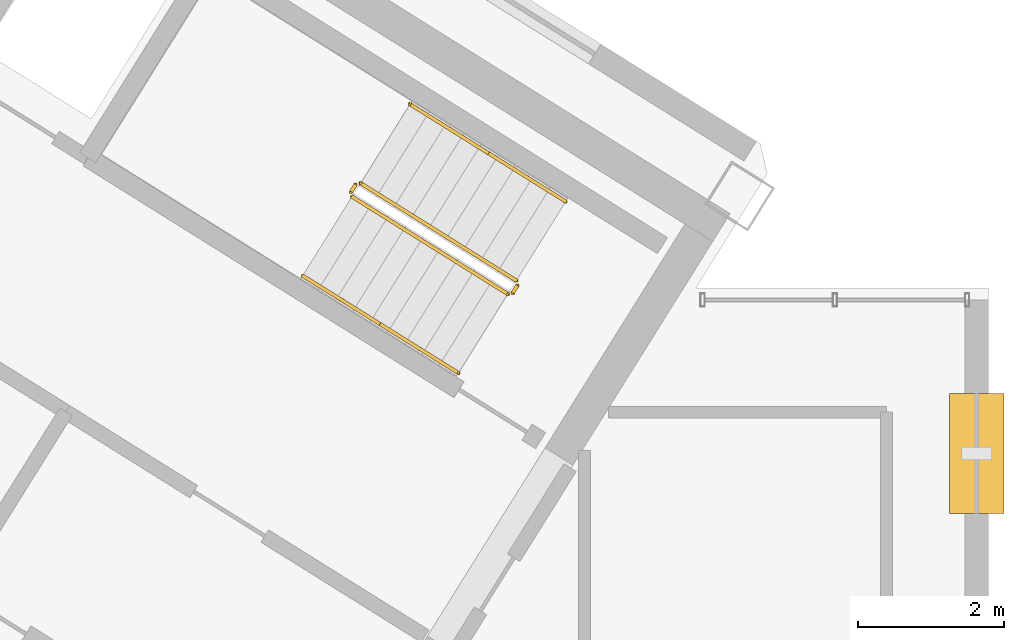
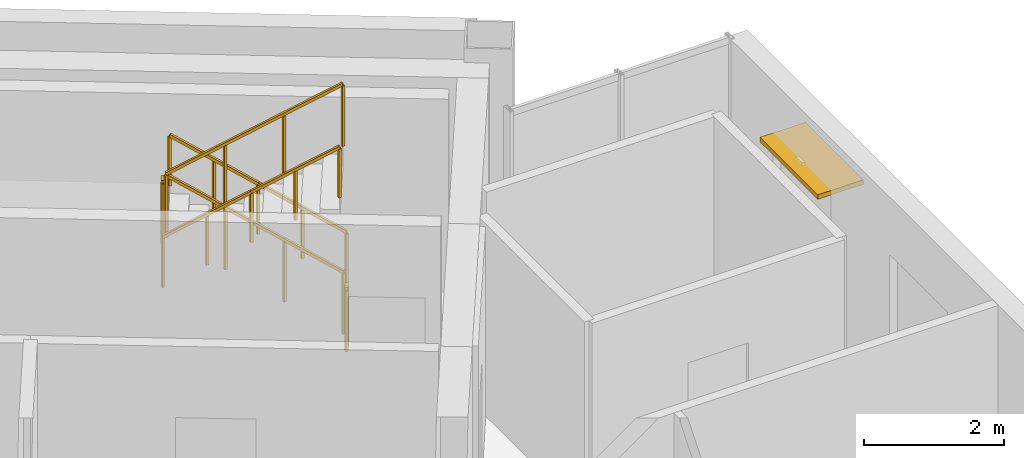
# One storey, part 14 of 15: 8 railings, 1 shading device.
"""IFC4 building model written with IfcOpenShell, lengths in metres."""

from ifc_helpers import new_model, si_unit, direction, frame, origin, origin_2d, place, context, subcontext, project, spatial, rectangle, extrude, source, transform, mapped, material, layer, layer_set, type_object, element, save


model = new_model("IFC4")

# Units and contexts
model_context = context("Model", 3, precision=1e-05, world=origin(), true_north=direction((0.0, 1.0)))
body_context = subcontext(model_context, "Body", "Model", "MODEL_VIEW")
ifc_project = project(units=[si_unit("LENGTHUNIT", "METRE"), si_unit("AREAUNIT", "SQUARE_METRE"), si_unit("VOLUMEUNIT", "CUBIC_METRE"), si_unit("PLANEANGLEUNIT", "RADIAN"), si_unit("MASSUNIT", "GRAM", prefix="KILO")], contexts=[model_context])

# Site, building, storey
site_placement = place(None, origin())
site = spatial("IfcSite", under=ifc_project, at=site_placement, CompositionType="ELEMENT")
building_placement = place(site_placement, origin())
building = spatial("IfcBuilding", under=site, at=building_placement, Name="Tlacorven Tower", CompositionType="ELEMENT")
storey_placement = place(building_placement, frame((0.0, 0.0, 266.39990234375)))
storey = spatial("IfcBuildingStorey", under=building, at=storey_placement, Name="L67", CompositionType="ELEMENT", Elevation=266.39990234375)

# Shading device
ifc_material_1 = material(Name="Anodised bronze aluminium sunshade", Category="aluminium")
ifc_layer = layer(ifc_material_1, 0.080078125)
ifc_layer_set = layer_set([ifc_layer], Name="Anodised bronze aluminium sunshade")
shading_device_type = type_object("IfcShadingDeviceType", Name="SH-SUN-BRZ", PredefinedType="AWNING", material=ifc_layer_set)
shared_shape_1 = source(origin(), body_context, "Body", "SweptSolid", [
    extrude(rectangle(XDim=1.64990234375, YDim=0.75, at=origin_2d()), origin(), (0.0, 0.0, 1.0), 0.080078125),
])
shading_device_placement = place(storey_placement, frame((44.0400390625, 20.929931640625, 2.3701171875), z_axis=(0.0, 0.0, 1.0), x_axis=(0.0, -1.0, 0.0)))
element("IfcShadingDevice", 1, at=shading_device_placement, inside=storey, type_object=shading_device_type, Name="L67 Solar Brise-Soleil Sunshade L67-01.1", PredefinedType="AWNING", context=body_context, shape_type="MappedRepresentation", body=[
    mapped(shared_shape_1, transform((0.0, 0.0, 0.0), scale=1.0)),
])

# Railings
ifc_material_2 = material(Name="Aluminium and painted steel balustrade", Category="steel")
railing_type_1 = type_object("IfcRailingType", Name="RL-GRD-1100", PredefinedType="GUARDRAIL", material=ifc_material_2)
shared_shape_2 = source(origin(), body_context, "Body", "SweptSolid", [
    extrude(rectangle(XDim=0.048095703125, YDim=0.048095703125, at=origin_2d()), frame((0.0, 0.0, 1.076171875), z_axis=(-0.530546985787, -0.847655529016, 0.0), x_axis=(0.847655529016, -0.530546985787, 0.0)), (0.0, 0.0, 1.0), 0.1201171875),
    extrude(rectangle(XDim=0.0419921875, YDim=0.0419921875, at=origin_2d()), origin(), (0.0, 0.0, 1.0), 1.052001953125),
    extrude(rectangle(XDim=0.0419921875, YDim=0.0419921875, at=origin_2d()), frame((-0.063720703125, -0.101806640625, 0.0)), (0.0, 0.0, 1.0), 1.052001953125),
])
railing_1_placement = place(storey_placement, frame((37.728271484375, 23.24072265625, 0.0)))
element("IfcRailing", 2, at=railing_1_placement, inside=storey, type_object=railing_type_1, Name="L67 ST-W2 stair guard 4", PredefinedType="GUARDRAIL", context=body_context, shape_type="MappedRepresentation", body=[
    mapped(shared_shape_2, transform((0.0, 0.0, 0.0), scale=1.0)),
])
railing_type_2 = type_object("IfcRailingType", Name="RL-HND-0900", PredefinedType="HANDRAIL", material=ifc_material_2)
shared_shape_3 = source(origin(), body_context, "Body", "SweptSolid", [
    extrude(rectangle(XDim=0.048095703125, YDim=0.048095703125, at=origin_2d()), frame((0.0, 0.0, 0.8759765625), z_axis=(-0.713359751793, 0.4457479829, 0.540764828981), x_axis=(-0.529911857636, -0.848052724267, 0.0)), (0.0, 0.0, 1.0), 1.498046875),
    extrude(rectangle(XDim=0.0419921875, YDim=0.0419921875, at=origin_2d()), origin(), (0.0, 0.0, 1.0), 0.851806640625),
    extrude(rectangle(XDim=0.0419921875, YDim=0.0419921875, at=origin_2d()), frame((-0.5341796875, 0.333984375, 0.405029296875)), (0.0, 0.0, 1.0), 0.851806640625),
    extrude(rectangle(XDim=0.0419921875, YDim=0.0419921875, at=origin_2d()), frame((-1.068603515625, 0.667724609375, 0.81005859375)), (0.0, 0.0, 1.0), 0.851806640625),
])
railing_2_placement = place(storey_placement, frame((37.322021484375, 25.062744140625, 0.989990234375)))
element("IfcRailing", 3, at=railing_2_placement, inside=storey, type_object=railing_type_2, Name="L67 ST-W2 stair handrail 2", PredefinedType="HANDRAIL", context=body_context, shape_type="MappedRepresentation", body=[
    mapped(shared_shape_3, transform((0.0, 0.0, 0.0), scale=1.0)),
])
shared_shape_4 = source(origin(), body_context, "Body", "SweptSolid", [
    extrude(rectangle(XDim=0.048095703125, YDim=0.048095703125, at=origin_2d()), frame((0.0, 0.0, 0.8759765625), z_axis=(0.713359751793, -0.4457479829, 0.540764828981), x_axis=(0.529911857636, 0.848052724267, 0.0)), (0.0, 0.0, 1.0), 1.498046875),
    extrude(rectangle(XDim=0.0419921875, YDim=0.0419921875, at=origin_2d()), origin(), (0.0, 0.0, 1.0), 0.851806640625),
    extrude(rectangle(XDim=0.0419921875, YDim=0.0419921875, at=origin_2d()), frame((0.5341796875, -0.333984375, 0.405029296875)), (0.0, 0.0, 1.0), 0.851806640625),
    extrude(rectangle(XDim=0.0419921875, YDim=0.0419921875, at=origin_2d()), frame((1.068603515625, -0.667724609375, 0.81005859375)), (0.0, 0.0, 1.0), 0.851806640625),
])
for number, where, name in (
    (4, (34.7802734375, 23.372802734375, 1.97998046875), "L67 ST-W2 stair handrail 3"),
    (5, (35.848876953125, 22.705078125, 2.7900390625), "L67 ST-W2 stair handrail 4"),
):
    element("IfcRailing", number, at=place(storey_placement, frame(where)), inside=storey, type_object=railing_type_2, Name=name, PredefinedType="HANDRAIL", context=body_context, shape_type="MappedRepresentation", body=[
        mapped(shared_shape_4, transform((0.0, 0.0, 0.0), scale=1.0)),
    ])
shared_shape_5 = source(origin(), body_context, "Body", "SweptSolid", [
    extrude(rectangle(XDim=0.048095703125, YDim=0.048095703125, at=origin_2d()), frame((0.0, 0.0, 1.076171875), z_axis=(-0.713351164325, 0.445793541512, 0.540738601085), x_axis=(-0.529955395941, -0.84802551749, 0.0)), (0.0, 0.0, 1.0), 2.99560546875),
    extrude(rectangle(XDim=0.0419921875, YDim=0.0419921875, at=origin_2d()), origin(), (0.0, 0.0, 1.0), 1.052001953125),
    extrude(rectangle(XDim=0.0419921875, YDim=0.0419921875, at=origin_2d()), frame((-0.71240234375, 0.445068359375, 0.5400390625)), (0.0, 0.0, 1.0), 1.052001953125),
    extrude(rectangle(XDim=0.0419921875, YDim=0.0419921875, at=origin_2d()), frame((-1.424560546875, 0.890380859375, 1.079833984375)), (0.0, 0.0, 1.0), 1.052001953125),
    extrude(rectangle(XDim=0.0419921875, YDim=0.0419921875, at=origin_2d()), frame((-2.136962890625, 1.33544921875, 1.619873046875)), (0.0, 0.0, 1.0), 1.052001953125),
])
railing_3_placement = place(storey_placement, frame((37.712158203125, 23.3095703125, 0.18017578125)))
element("IfcRailing", 6, at=railing_3_placement, inside=storey, type_object=railing_type_1, Name="L67 ST-W2 stair guard 1", PredefinedType="GUARDRAIL", context=body_context, shape_type="MappedRepresentation", body=[
    mapped(shared_shape_5, transform((0.0, 0.0, 0.0), scale=1.0)),
])
shared_shape_6 = source(origin(), body_context, "Body", "SweptSolid", [
    extrude(rectangle(XDim=0.048095703125, YDim=0.048095703125, at=origin_2d()), frame((0.0, 0.0, 0.8759765625), z_axis=(-0.713422621445, 0.445787267455, 0.540649494022), x_axis=(-0.529911857636, -0.848052724267, 0.0)), (0.0, 0.0, 1.0), 1.497802734375),
    extrude(rectangle(XDim=0.0419921875, YDim=0.0419921875, at=origin_2d()), origin(), (0.0, 0.0, 1.0), 0.851806640625),
    extrude(rectangle(XDim=0.0419921875, YDim=0.0419921875, at=origin_2d()), frame((-0.5341796875, 0.333984375, 0.40478515625)), (0.0, 0.0, 1.0), 0.851806640625),
    extrude(rectangle(XDim=0.0419921875, YDim=0.0419921875, at=origin_2d()), frame((-1.068603515625, 0.667724609375, 0.809814453125)), (0.0, 0.0, 1.0), 0.851806640625),
])
railing_4_placement = place(storey_placement, frame((38.390625, 24.39501953125, 0.18017578125)))
element("IfcRailing", 7, at=railing_4_placement, inside=storey, type_object=railing_type_2, Name="L67 ST-W2 stair handrail 1", PredefinedType="HANDRAIL", context=body_context, shape_type="MappedRepresentation", body=[
    mapped(shared_shape_6, transform((0.0, 0.0, 0.0), scale=1.0)),
])
shared_shape_7 = source(origin(), body_context, "Body", "SweptSolid", [
    extrude(rectangle(XDim=0.048095703125, YDim=0.048095703125, at=origin_2d()), frame((0.0, 0.0, 1.076171875), z_axis=(-0.531462422766, -0.847081869236, 0.0), x_axis=(0.847081869236, -0.531462422766, 0.0)), (0.0, 0.0, 1.0), 0.119873046875),
    extrude(rectangle(XDim=0.0419921875, YDim=0.0419921875, at=origin_2d()), origin(), (0.0, 0.0, 1.0), 1.052001953125),
    extrude(rectangle(XDim=0.0419921875, YDim=0.0419921875, at=origin_2d()), frame((-0.063720703125, -0.1015625, 0.0)), (0.0, 0.0, 1.0), 1.052001953125),
])
railing_5_placement = place(storey_placement, frame((35.50634765625, 24.62890625, 1.800048828125)))
element("IfcRailing", 8, at=railing_5_placement, inside=storey, type_object=railing_type_1, Name="L67 ST-W2 stair guard 2", PredefinedType="GUARDRAIL", context=body_context, shape_type="MappedRepresentation", body=[
    mapped(shared_shape_7, transform((0.0, 0.0, 0.0), scale=1.0)),
])
shared_shape_8 = source(origin(), body_context, "Body", "SweptSolid", [
    extrude(rectangle(XDim=0.048095703125, YDim=0.048095703125, at=origin_2d()), frame((0.0, 0.0, 1.076171875), z_axis=(0.713385662783, -0.445682681033, 0.540784470897), x_axis=(0.52984217967, 0.848096259066, 0.0)), (0.0, 0.0, 1.0), 2.995849609375),
    extrude(rectangle(XDim=0.0419921875, YDim=0.0419921875, at=origin_2d()), origin(), (0.0, 0.0, 1.0), 1.052001953125),
    extrude(rectangle(XDim=0.0419921875, YDim=0.0419921875, at=origin_2d()), frame((0.71240234375, -0.445068359375, 0.5400390625)), (0.0, 0.0, 1.0), 1.052001953125),
    extrude(rectangle(XDim=0.0419921875, YDim=0.0419921875, at=origin_2d()), frame((1.4248046875, -0.89013671875, 1.080078125)), (0.0, 0.0, 1.0), 1.052001953125),
    extrude(rectangle(XDim=0.0419921875, YDim=0.0419921875, at=origin_2d()), frame((2.13720703125, -1.335205078125, 1.6201171875)), (0.0, 0.0, 1.0), 1.052001953125),
])
railing_6_placement = place(storey_placement, frame((35.45849609375, 24.458251953125, 1.97998046875)))
element("IfcRailing", 9, at=railing_6_placement, inside=storey, type_object=railing_type_1, Name="L67 ST-W2 stair guard 3", PredefinedType="GUARDRAIL", context=body_context, shape_type="MappedRepresentation", body=[
    mapped(shared_shape_8, transform((0.0, 0.0, 0.0), scale=1.0)),
])

save(model, "model.ifc")
